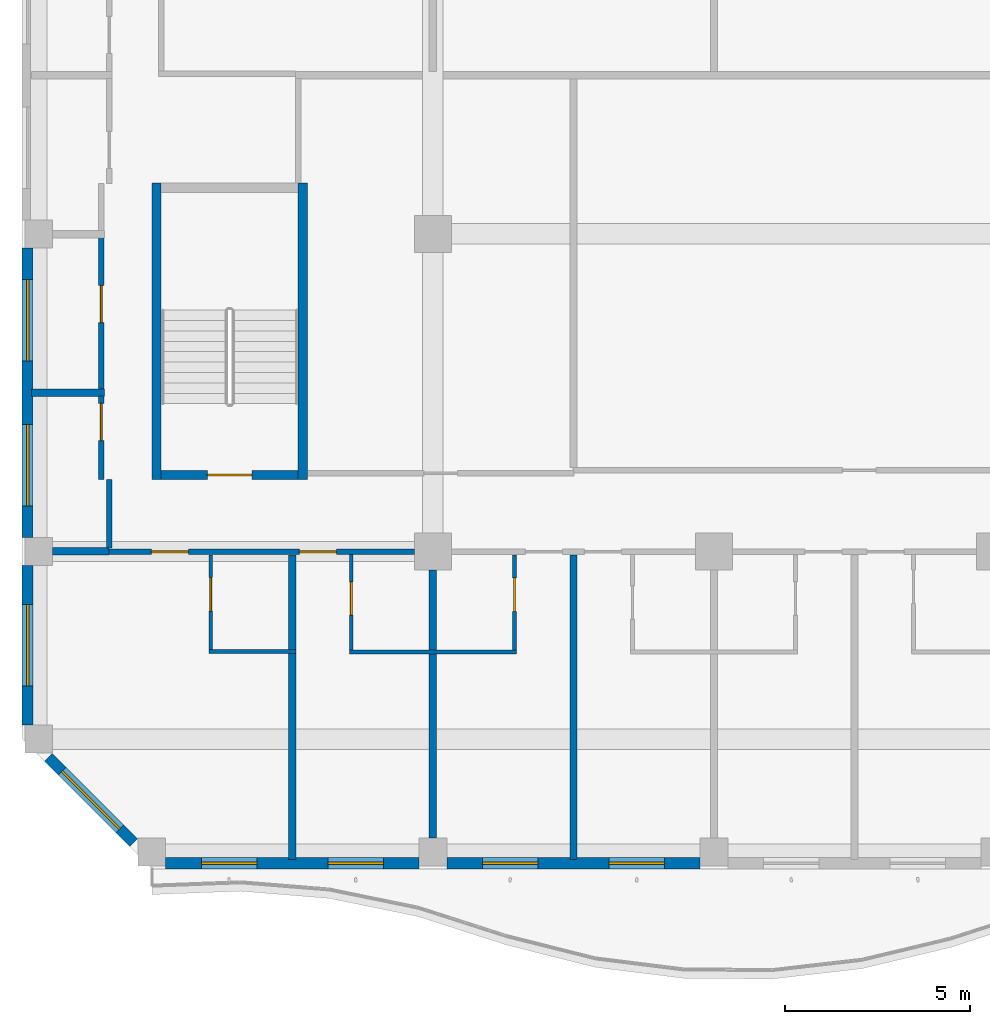
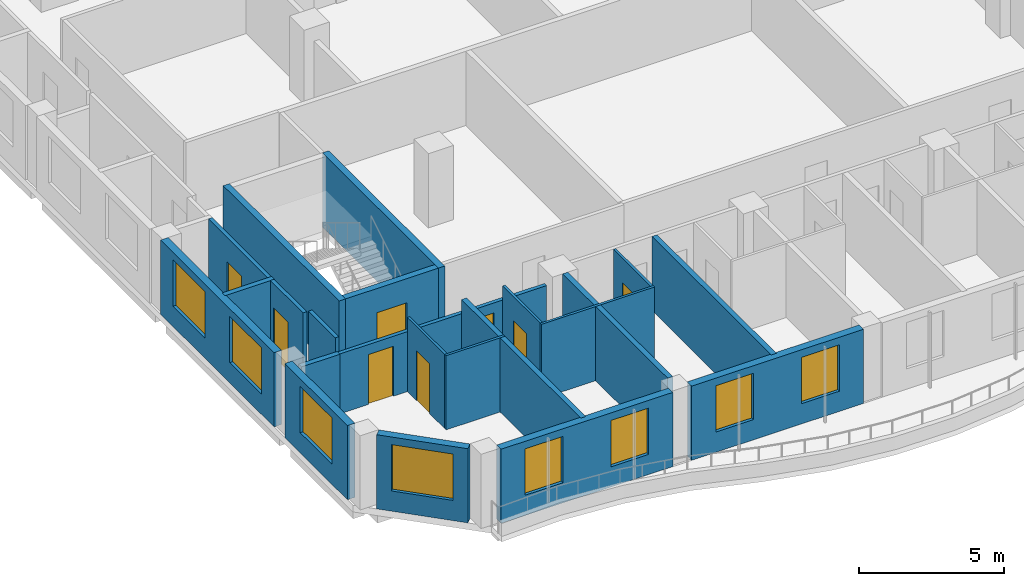
# One storey, part 2 of 22: 24 walls, 8 doors, 8 windows, 16 openings.
"""IFC4 building model written with IfcOpenShell, lengths in metres."""

from ifc_helpers import new_model, si_unit, direction, frame, frame_2d, origin, place, context, subcontext, project, spatial, rectangle, extrude, source, transform, mapped, material, layer, layer_set, type_object, element, fill, save


model = new_model("IFC4")

# Units and contexts
model_context = context("Model", 3, precision=1e-05, world=origin(), true_north=direction((0.0, 1.0)))
body_context = subcontext(model_context, "Body", "Model", "MODEL_VIEW")
ifc_project = project(units=[si_unit("LENGTHUNIT", "METRE"), si_unit("AREAUNIT", "SQUARE_METRE"), si_unit("VOLUMEUNIT", "CUBIC_METRE"), si_unit("PLANEANGLEUNIT", "RADIAN"), si_unit("MASSUNIT", "GRAM", prefix="KILO")], contexts=[model_context])

# Site, building, storey
site_placement = place(None, origin())
site = spatial("IfcSite", under=ifc_project, at=site_placement, CompositionType="ELEMENT")
building_placement = place(site_placement, origin())
building = spatial("IfcBuilding", under=site, at=building_placement, Name="Kilnfold Tower and Market Hall", CompositionType="ELEMENT")
storey_placement = place(building_placement, frame((0.0, 0.0, 206.699951171875)))
storey = spatial("IfcBuildingStorey", under=building, at=storey_placement, Name="L50", CompositionType="ELEMENT", Elevation=206.699951171875)

# Wall, openings, doors
ifc_material_1 = material(Name="Gypsum board on steel studs", Category="steel")
ifc_layer_1 = layer(ifc_material_1, 0.14990234375)
ifc_layer_set_1 = layer_set([ifc_layer_1], Name="Gypsum board on steel studs")
wall_type_1 = type_object("IfcWallType", Name="WALL CORRIDOR 150", PredefinedType="PARTITIONING", material=ifc_layer_set_1)
wall_1_placement = place(storey_placement, frame((-18.89990234375, -17.699951171875, 0.0), z_axis=(0.0, 0.0, 1.0), x_axis=(1.0, 0.0, 0.0)))
wall_1 = element("IfcWall", 1, at=wall_1_placement, inside=storey, type_object=wall_type_1, Name="Partition LY30.1", PredefinedType="PARTITIONING", context=body_context, shape_type="SweptSolid", body=[
    extrude(rectangle(XDim=8.23291015625, YDim=0.14990234375, at=frame_2d((4.116455078125, 0.0))), origin(), (0.0, 0.0, 1.0), 2.52001953125),
])
opening_1_placement = place(wall_1_placement, frame((1.135009765625, 0.0, 0.0)))
opening_1 = element("IfcOpeningElement", 2, at=opening_1_placement, cuts=wall_1, Name="Opening D1", PredefinedType="OPENING", context=body_context, shape_type="SweptSolid", body=[
    extrude(rectangle(XDim=1.0, YDim=2.10009765625, at=frame_2d((0.5, 1.050048828125))), frame((0.0, 0.0849609375, 0.0), z_axis=(0.0, -1.0, 0.0), x_axis=(1.0, 0.0, 0.0)), (0.0, 0.0, 1.0), 0.169921875),
])
opening_2_placement = place(wall_1_placement, frame((5.131103515625, 0.0, 0.0)))
opening_2 = element("IfcOpeningElement", 3, at=opening_2_placement, cuts=wall_1, Name="Opening D1", PredefinedType="OPENING", context=body_context, shape_type="SweptSolid", body=[
    extrude(rectangle(XDim=1.0, YDim=2.10009765625, at=frame_2d((0.5, 1.050048828125))), frame((0.0, 0.0849609375, 0.0), z_axis=(0.0, -1.0, 0.0), x_axis=(1.0, 0.0, 0.0)), (0.0, 0.0, 1.0), 0.169921875),
])
ifc_material_2 = material(Name="Timber veneer door leaf in steel frame", Category="steel")
door_type_1 = type_object("IfcDoorType", Name="DOOR ENTRY 1000 X2100", OperationType="NOTDEFINED", PredefinedType="DOOR", material=ifc_material_2)
door_1_placement = place(opening_1_placement, origin())
door_1 = element("IfcDoor", 4, at=door_1_placement, inside=storey, type_object=door_type_1, Name="Door D1", OperationType="SINGLE_SWING_RIGHT", OverallHeight=2.10009765625, OverallWidth=1.0, PredefinedType="DOOR", context=body_context, shape_type="SweptSolid", body=[
    extrude(rectangle(XDim=1.0, YDim=2.10009765625, at=frame_2d((0.5, 1.050048828125))), frame((0.0, 0.02490234375, 0.0), z_axis=(0.0, -1.0, 0.0), x_axis=(1.0, 0.0, 0.0)), (0.0, 0.0, 1.0), 0.050048828125),
])
fill(opening_1, door_1)
door_2_placement = place(opening_2_placement, origin())
door_2 = element("IfcDoor", 5, at=door_2_placement, inside=storey, type_object=door_type_1, Name="Door D1", OperationType="SINGLE_SWING_LEFT", OverallHeight=2.10009765625, OverallWidth=1.0, PredefinedType="DOOR", context=body_context, shape_type="SweptSolid", body=[
    extrude(rectangle(XDim=1.0, YDim=2.10009765625, at=frame_2d((0.5, 1.050048828125))), frame((0.0, 0.02490234375, 0.0), z_axis=(0.0, -1.0, 0.0), x_axis=(1.0, 0.0, 0.0)), (0.0, 0.0, 1.0), 0.050048828125),
])
fill(opening_2, door_2)

# Wall
wall_2_placement = place(storey_placement, frame((-18.89990234375, -17.597900390625, 0.0), z_axis=(0.0, 0.0, 1.0), x_axis=(0.0, 1.0, 0.0)))
element("IfcWall", 6, at=wall_2_placement, inside=storey, type_object=wall_type_1, Name="Partition LY30.9", PredefinedType="PARTITIONING", context=body_context, shape_type="SweptSolid", body=[
    extrude(rectangle(XDim=1.85498046875, YDim=0.14990234375, at=frame_2d((0.927490234375, 0.0))), origin(), (0.0, 0.0, 1.0), 3.1201171875),
])

# Wall, opening, door
wall_3_placement = place(storey_placement, frame((-19.113037109375, -15.742919921875, 0.0), z_axis=(0.0, 0.0, 1.0), x_axis=(0.0, 1.0, 0.0)))
wall_3 = element("IfcWall", 7, at=wall_3_placement, inside=storey, type_object=wall_type_1, Name="Partition LY30.10", PredefinedType="PARTITIONING", context=body_context, shape_type="SweptSolid", body=[
    extrude(rectangle(XDim=2.246826171875, YDim=0.14990234375, at=frame_2d((1.12353515625, 0.0))), origin(), (0.0, 0.0, 1.0), 3.1201171875),
])
opening_3_placement = place(wall_3_placement, frame((1.047119140625, 0.0, 0.0)))
opening_3 = element("IfcOpeningElement", 8, at=opening_3_placement, cuts=wall_3, Name="Opening D4", PredefinedType="OPENING", context=body_context, shape_type="SweptSolid", body=[
    extrude(rectangle(XDim=1.0, YDim=2.10009765625, at=frame_2d((0.5, 1.050048828125))), frame((0.0, 0.0849609375, 0.0), z_axis=(0.0, -1.0, 0.0), x_axis=(1.0, 0.0, 0.0)), (0.0, 0.0, 1.0), 0.169921875),
])
ifc_material_3 = material(Name="Timber veneer door leaf in steel frame", Category="steel")
door_type_2 = type_object("IfcDoorType", Name="DOOR SERVICE 1000 X2100", OperationType="NOTDEFINED", PredefinedType="DOOR", material=ifc_material_3)
door_3_placement = place(opening_3_placement, origin())
door_3 = element("IfcDoor", 9, at=door_3_placement, inside=storey, type_object=door_type_2, Name="Door D4", OperationType="SINGLE_SWING_LEFT", OverallHeight=2.10009765625, OverallWidth=1.0, PredefinedType="DOOR", context=body_context, shape_type="SweptSolid", body=[
    extrude(rectangle(XDim=1.0, YDim=2.10009765625, at=frame_2d((0.5, 1.050048828125))), frame((0.0, 0.02490234375, 0.0), z_axis=(0.0, -1.0, 0.0), x_axis=(1.0, 0.0, 0.0)), (0.0, 0.0, 1.0), 0.050048828125),
])
fill(opening_3, door_3)

wall_4_placement = place(storey_placement, frame((-19.113037109375, -13.31591796875, 0.0), z_axis=(0.0, 0.0, 1.0), x_axis=(0.0, 1.0, 0.0)))
wall_4 = element("IfcWall", 10, at=wall_4_placement, inside=storey, type_object=wall_type_1, Name="Partition LY30.11", PredefinedType="PARTITIONING", context=body_context, shape_type="SweptSolid", body=[
    extrude(rectangle(XDim=4.100830078125, YDim=0.14990234375, at=frame_2d((2.05029296875, 0.0))), origin(), (0.0, 0.0, 1.0), 3.1201171875),
])
opening_4_placement = place(wall_4_placement, frame((1.801025390625, 0.0, 0.0)))
opening_4 = element("IfcOpeningElement", 11, at=opening_4_placement, cuts=wall_4, Name="Opening D4", PredefinedType="OPENING", context=body_context, shape_type="SweptSolid", body=[
    extrude(rectangle(XDim=1.0, YDim=2.10009765625, at=frame_2d((0.5, 1.050048828125))), frame((0.0, 0.0849609375, 0.0), z_axis=(0.0, -1.0, 0.0), x_axis=(1.0, 0.0, 0.0)), (0.0, 0.0, 1.0), 0.169921875),
])
door_4_placement = place(opening_4_placement, origin())
door_4 = element("IfcDoor", 12, at=door_4_placement, inside=storey, type_object=door_type_2, Name="Door D4", OperationType="SINGLE_SWING_RIGHT", OverallHeight=2.10009765625, OverallWidth=1.0, PredefinedType="DOOR", context=body_context, shape_type="SweptSolid", body=[
    extrude(rectangle(XDim=1.0, YDim=2.10009765625, at=frame_2d((0.5, 1.050048828125))), frame((0.0, 0.02490234375, 0.0), z_axis=(0.0, -1.0, 0.0), x_axis=(1.0, 0.0, 0.0)), (0.0, 0.0, 1.0), 0.050048828125),
])
fill(opening_4, door_4)

ifc_material_4 = material(Name="Gypsum board on steel studs", Category="steel")
ifc_layer_2 = layer(ifc_material_4, 0.10009765625)
ifc_layer_set_2 = layer_set([ifc_layer_2], Name="Gypsum board on steel studs")
wall_type_2 = type_object("IfcWallType", Name="WALL PARTITION 100", PredefinedType="PARTITIONING", material=ifc_layer_set_2)
wall_5_placement = place(storey_placement, frame((-16.158935546875, -20.337890625, 0.0), z_axis=(0.0, 0.0, 1.0), x_axis=(0.0, 1.0, 0.0)))
wall_5 = element("IfcWall", 13, at=wall_5_placement, inside=storey, type_object=wall_type_2, Name="Partition LY30.42", PredefinedType="PARTITIONING", context=body_context, shape_type="SweptSolid", body=[
    extrude(rectangle(XDim=2.560791015625, YDim=0.10009765625, at=frame_2d((1.2802734375, 0.0))), origin(), (0.0, 0.0, 1.0), 3.1201171875),
])
opening_5_placement = place(wall_5_placement, frame((1.041015625, 0.0, 0.0)))
opening_5 = element("IfcOpeningElement", 14, at=opening_5_placement, cuts=wall_5, Name="Opening D3", PredefinedType="OPENING", context=body_context, shape_type="SweptSolid", body=[
    extrude(rectangle(XDim=0.89990234375, YDim=2.10009765625, at=frame_2d((0.449951171875, 1.050048828125))), frame((0.0, 0.06005859375, 0.0), z_axis=(0.0, -1.0, 0.0), x_axis=(1.0, 0.0, 0.0)), (0.0, 0.0, 1.0), 0.1201171875),
])
ifc_material_5 = material(Name="Timber veneer door leaf in steel frame", Category="steel")
door_type_3 = type_object("IfcDoorType", Name="DOOR WC 900 X2100", OperationType="NOTDEFINED", PredefinedType="DOOR", material=ifc_material_5)
door_5_placement = place(opening_5_placement, origin())
door_5 = element("IfcDoor", 15, at=door_5_placement, inside=storey, type_object=door_type_3, Name="Door D3", OperationType="SINGLE_SWING_LEFT", OverallHeight=2.10009765625, OverallWidth=0.89990234375, PredefinedType="DOOR", context=body_context, shape_type="SweptSolid", body=[
    extrude(rectangle(XDim=0.89990234375, YDim=2.10009765625, at=frame_2d((0.449951171875, 1.050048828125))), frame((0.0, 0.02490234375, 0.0), z_axis=(0.0, -1.0, 0.0), x_axis=(1.0, 0.0, 0.0)), (0.0, 0.0, 1.0), 0.050048828125),
])
fill(opening_5, door_5)

# Wall
wall_6_placement = place(storey_placement, frame((-16.208984375, -20.387939453125, 0.0), z_axis=(0.0, 0.0, 1.0), x_axis=(1.0, 0.0, 0.0)))
element("IfcWall", 16, at=wall_6_placement, inside=storey, type_object=wall_type_2, Name="Partition LY30.43", PredefinedType="PARTITIONING", context=body_context, shape_type="SweptSolid", body=[
    extrude(rectangle(XDim=2.35009765625, YDim=0.10009765625, at=frame_2d((1.175048828125, 0.0))), origin(), (0.0, 0.0, 1.0), 3.1201171875),
])

# Wall, opening, door
wall_7_placement = place(storey_placement, frame((-12.366943359375, -20.35205078125, 0.0), z_axis=(0.0, 0.0, 1.0), x_axis=(0.0, 1.0, 0.0)))
wall_7 = element("IfcWall", 17, at=wall_7_placement, inside=storey, type_object=wall_type_2, Name="Partition LY30.47", PredefinedType="PARTITIONING", context=body_context, shape_type="SweptSolid", body=[
    extrude(rectangle(XDim=2.574951171875, YDim=0.10009765625, at=frame_2d((1.28759765625, 0.0))), origin(), (0.0, 0.0, 1.0), 3.1201171875),
])
opening_6_placement = place(wall_7_placement, frame((0.944091796875, 0.0, 0.0)))
opening_6 = element("IfcOpeningElement", 18, at=opening_6_placement, cuts=wall_7, Name="Opening D3", PredefinedType="OPENING", context=body_context, shape_type="SweptSolid", body=[
    extrude(rectangle(XDim=0.89990234375, YDim=2.10009765625, at=frame_2d((0.449951171875, 1.050048828125))), frame((0.0, 0.06005859375, 0.0), z_axis=(0.0, -1.0, 0.0), x_axis=(1.0, 0.0, 0.0)), (0.0, 0.0, 1.0), 0.1201171875),
])
door_6_placement = place(opening_6_placement, origin())
door_6 = element("IfcDoor", 19, at=door_6_placement, inside=storey, type_object=door_type_3, Name="Door D3", OperationType="SINGLE_SWING_RIGHT", OverallHeight=2.10009765625, OverallWidth=0.89990234375, PredefinedType="DOOR", context=body_context, shape_type="SweptSolid", body=[
    extrude(rectangle(XDim=0.89990234375, YDim=2.10009765625, at=frame_2d((0.449951171875, 1.050048828125))), frame((0.0, 0.02490234375, 0.0), z_axis=(0.0, -1.0, 0.0), x_axis=(1.0, 0.0, 0.0)), (0.0, 0.0, 1.0), 0.050048828125),
])
fill(opening_6, door_6)

# Wall
wall_8_placement = place(storey_placement, frame((-12.4169921875, -20.402099609375, 0.0), z_axis=(0.0, 0.0, 1.0), x_axis=(1.0, 0.0, 0.0)))
element("IfcWall", 20, at=wall_8_placement, inside=storey, type_object=wall_type_2, Name="Partition LY30.48", PredefinedType="PARTITIONING", context=body_context, shape_type="SweptSolid", body=[
    extrude(rectangle(XDim=4.5, YDim=0.10009765625, at=frame_2d((2.25, 0.0))), origin(), (0.0, 0.0, 1.0), 3.1201171875),
])

# Wall, opening, door
wall_9_placement = place(storey_placement, frame((-7.967041015625, -17.777099609375, 0.0), z_axis=(0.0, 0.0, 1.0), x_axis=(0.0, -1.0, 0.0)))
wall_9 = element("IfcWall", 21, at=wall_9_placement, inside=storey, type_object=wall_type_2, Name="Partition LY30.51", PredefinedType="PARTITIONING", context=body_context, shape_type="SweptSolid", body=[
    extrude(rectangle(XDim=2.574951171875, YDim=0.10009765625, at=frame_2d((1.28759765625, 0.0))), origin(), (0.0, 0.0, 1.0), 3.1201171875),
])
opening_7_placement = place(wall_9_placement, frame((0.625, 0.0, 0.0)))
opening_7 = element("IfcOpeningElement", 22, at=opening_7_placement, cuts=wall_9, Name="Opening D3", PredefinedType="OPENING", context=body_context, shape_type="SweptSolid", body=[
    extrude(rectangle(XDim=0.89990234375, YDim=2.10009765625, at=frame_2d((0.449951171875, 1.050048828125))), frame((0.0, 0.06005859375, 0.0), z_axis=(0.0, -1.0, 0.0), x_axis=(1.0, 0.0, 0.0)), (0.0, 0.0, 1.0), 0.1201171875),
])
door_7_placement = place(opening_7_placement, origin())
door_7 = element("IfcDoor", 23, at=door_7_placement, inside=storey, type_object=door_type_3, Name="Door D3", OperationType="SINGLE_SWING_LEFT", OverallHeight=2.10009765625, OverallWidth=0.89990234375, PredefinedType="DOOR", context=body_context, shape_type="SweptSolid", body=[
    extrude(rectangle(XDim=0.89990234375, YDim=2.10009765625, at=frame_2d((0.449951171875, 1.050048828125))), frame((0.0, 0.02490234375, 0.0), z_axis=(0.0, -1.0, 0.0), x_axis=(1.0, 0.0, 0.0)), (0.0, 0.0, 1.0), 0.050048828125),
])
fill(opening_7, door_7)

# Walls
ifc_material_6 = material(Name="Gypsum board on steel studs", Category="steel")
ifc_layer_3 = layer(ifc_material_6, 0.199951171875)
ifc_layer_set_3 = layer_set([ifc_layer_3], Name="Gypsum board on steel studs")
wall_type_3 = type_object("IfcWallType", Name="WALL PARTY 200", PredefinedType="PARTITIONING", material=ifc_layer_set_3)
wall_10_placement = place(storey_placement, frame((-13.958984375, -26.0, 0.0), z_axis=(0.0, 0.0, 1.0), x_axis=(0.0, 1.0, 0.0)))
element("IfcWall", 24, at=wall_10_placement, inside=storey, type_object=wall_type_3, Name="Partition LY30.44", PredefinedType="PARTITIONING", context=body_context, shape_type="SweptSolid", body=[
    extrude(rectangle(XDim=5.56201171875, YDim=0.199951171875, at=frame_2d((2.781005859375, 0.0))), origin(), (0.0, 0.0, 1.0), 3.1201171875),
])
wall_11_placement = place(storey_placement, frame((-20.425048828125, -17.68798828125, 0.0), z_axis=(0.0, 0.0, 1.0), x_axis=(1.0, 0.0, 0.0)))
element("IfcWall", 25, at=wall_11_placement, inside=storey, type_object=wall_type_3, Name="Partition LY30.45", PredefinedType="PARTITIONING", context=body_context, shape_type="SweptSolid", body=[
    extrude(rectangle(XDim=1.52294921875, YDim=0.199951171875, at=frame_2d((0.761474609375, 0.0))), origin(), (0.0, 0.0, 1.0), 2.52001953125),
])
wall_12_placement = place(storey_placement, frame((-13.958984375, -20.337890625, 0.0), z_axis=(0.0, 0.0, 1.0), x_axis=(0.0, 1.0, 0.0)))
element("IfcWall", 26, at=wall_12_placement, inside=storey, type_object=wall_type_3, Name="Partition LY30.46", PredefinedType="PARTITIONING", context=body_context, shape_type="SweptSolid", body=[
    extrude(rectangle(XDim=2.560791015625, YDim=0.199951171875, at=frame_2d((1.2802734375, 0.0))), origin(), (0.0, 0.0, 1.0), 3.1201171875),
])
wall_13_placement = place(storey_placement, frame((-10.1669921875, -25.425048828125, 0.0), z_axis=(0.0, 0.0, 1.0), x_axis=(0.0, 1.0, 0.0)))
element("IfcWall", 27, at=wall_13_placement, inside=storey, type_object=wall_type_3, Name="Partition LY30.49", PredefinedType="PARTITIONING", context=body_context, shape_type="SweptSolid", body=[
    extrude(rectangle(XDim=4.97314453125, YDim=0.199951171875, at=frame_2d((2.486572265625, 0.0))), origin(), (0.0, 0.0, 1.0), 3.1201171875),
])
wall_14_placement = place(storey_placement, frame((-10.1669921875, -20.35205078125, 0.0), z_axis=(0.0, 0.0, 1.0), x_axis=(0.0, 1.0, 0.0)))
element("IfcWall", 28, at=wall_14_placement, inside=storey, type_object=wall_type_3, Name="Partition LY30.50", PredefinedType="PARTITIONING", context=body_context, shape_type="SweptSolid", body=[
    extrude(rectangle(XDim=2.1640625, YDim=0.199951171875, at=frame_2d((1.08203125, 0.0))), origin(), (0.0, 0.0, 1.0), 3.1201171875),
])
wall_15_placement = place(storey_placement, frame((-6.375, -26.0, 0.0), z_axis=(0.0, 0.0, 1.0), x_axis=(0.0, 1.0, 0.0)))
element("IfcWall", 29, at=wall_15_placement, inside=storey, type_object=wall_type_3, Name="Partition LY30.52", PredefinedType="PARTITIONING", context=body_context, shape_type="SweptSolid", body=[
    extrude(rectangle(XDim=8.222900390625, YDim=0.199951171875, at=frame_2d((4.111328125, 0.0))), origin(), (0.0, 0.0, 1.0), 3.1201171875),
])
wall_16_placement = place(storey_placement, frame((-19.027099609375, -13.406005859375, 0.0), z_axis=(0.0, 0.0, 1.0), x_axis=(-1.0, 0.0, 0.0)))
element("IfcWall", 30, at=wall_16_placement, inside=storey, type_object=wall_type_3, Name="Partition LY30.83", PredefinedType="PARTITIONING", context=body_context, shape_type="SweptSolid", body=[
    extrude(rectangle(XDim=1.972900390625, YDim=0.199951171875, at=frame_2d((0.986328125, 0.0))), origin(), (0.0, 0.0, 1.0), 3.1201171875),
])

# Wall, opening, door
ifc_material_7 = material(Name="Concrete C60", Category="concrete")
ifc_layer_4 = layer(ifc_material_7, 0.25)
ifc_layer_set_4 = layer_set([ifc_layer_4], Name="Concrete C60")
wall_type_4 = type_object("IfcWallType", Name="CORE WALL 250 C60", PredefinedType="SHEAR", material=ifc_layer_set_4)
shared_shape_1 = source(origin(), body_context, "Body", "SweptSolid", [
    extrude(rectangle(XDim=3.699951171875, YDim=0.25, at=frame_2d((1.85009765625, 0.0))), origin(), (0.0, 0.0, 1.0), 3.1201171875),
])
wall_17_placement = place(storey_placement, frame((-17.5, -15.625, 0.0), z_axis=(0.0, 0.0, 1.0), x_axis=(1.0, 0.0, 0.0)))
wall_17 = element("IfcWall", 31, at=wall_17_placement, inside=storey, type_object=wall_type_4, Name="Stair enclosure ST3", PredefinedType="SHEAR", context=body_context, shape_type="MappedRepresentation", body=[
    mapped(shared_shape_1, transform((0.0, 0.0, 0.0))),
])
opening_8_placement = place(wall_17_placement, frame((1.25, 0.0, 0.0)))
opening_8 = element("IfcOpeningElement", 32, at=opening_8_placement, cuts=wall_17, Name="Opening SD1", PredefinedType="OPENING", context=body_context, shape_type="SweptSolid", body=[
    extrude(rectangle(XDim=1.199951171875, YDim=2.10009765625, at=frame_2d((0.60009765625, 1.050048828125))), frame((0.0, 0.135009765625, 0.0), z_axis=(0.0, -1.0, 0.0), x_axis=(1.0, 0.0, 0.0)), (0.0, 0.0, 1.0), 0.27001953125),
])
ifc_material_8 = material(Name="Steel door set with fire-resisting leaf", Category="steel")
door_type_4 = type_object("IfcDoorType", Name="STAIR FLOOR DOOR 1200X2100", OperationType="NOTDEFINED", PredefinedType="DOOR", material=ifc_material_8)
door_8_placement = place(opening_8_placement, origin())
door_8 = element("IfcDoor", 33, at=door_8_placement, inside=storey, type_object=door_type_4, Name="Exit stair ST3 door", OperationType="DOUBLE_DOOR_SINGLE_SWING", OverallHeight=2.10009765625, OverallWidth=1.199951171875, PredefinedType="DOOR", context=body_context, shape_type="SweptSolid", body=[
    extrude(rectangle(XDim=1.199951171875, YDim=2.10009765625, at=frame_2d((0.60009765625, 1.050048828125))), frame((0.0, 0.02490234375, 0.0), z_axis=(0.0, -1.0, 0.0), x_axis=(1.0, 0.0, 0.0)), (0.0, 0.0, 1.0), 0.050048828125),
])
fill(opening_8, door_8)

# Walls
shared_shape_2 = source(origin(), body_context, "Body", "SweptSolid", [
    extrude(rectangle(XDim=8.0, YDim=0.25, at=frame_2d((4.0, 0.0))), origin(), (0.0, 0.0, 1.0), 3.1201171875),
])
for number, where, z_axis, x_axis, name in (
    (34, (-17.625, -15.75, 0.0), (0.0, 0.0, 1.0), (0.0, 1.0, 0.0), "Stair enclosure ST3"),
    (35, (-13.675048828125, -15.75, 0.0), (0.0, 0.0, 1.0), (0.0, 1.0, 0.0), "Stair enclosure ST3"),
):
    element("IfcWall", number, at=place(storey_placement, frame(where, z_axis=z_axis, x_axis=x_axis)), inside=storey, type_object=wall_type_4, Name=name, PredefinedType="SHEAR", context=body_context, shape_type="MappedRepresentation", body=[
        mapped(shared_shape_2, transform((0.0, 0.0, 0.0))),
    ])

# Wall, openings, windows
ifc_material_9 = material(Name="Precast concrete C50/60", Category="concrete")
ifc_layer_5 = layer(ifc_material_9, 0.300048828125)
ifc_layer_set_5 = layer_set([ifc_layer_5], Name="Precast concrete C50/60")
wall_type_5 = type_object("IfcWallType", Name="PRECAST WALL 300", PredefinedType="SOLIDWALL", material=ifc_layer_set_5)
shared_shape_3 = source(origin(), body_context, "Body", "SweptSolid", [
    extrude(rectangle(XDim=6.833251953125, YDim=0.300048828125, at=frame_2d((3.41650390625, 0.0))), origin(), (0.0, 0.0, 1.0), 3.1201171875),
])
wall_18_placement = place(storey_placement, frame((-17.375, -26.10009765625, 0.0), z_axis=(0.0, 0.0, 1.0), x_axis=(1.0, 0.0, 0.0)))
wall_18 = element("IfcWall", 36, at=wall_18_placement, inside=storey, type_object=wall_type_5, Name="External wall L50 S", PredefinedType="SOLIDWALL", context=body_context, shape_type="MappedRepresentation", body=[
    mapped(shared_shape_3, transform((0.0, 0.0, 0.0))),
])
opening_9_placement = place(wall_18_placement, frame((0.95849609375, 0.0, 0.85009765625)))
opening_9 = element("IfcOpeningElement", 37, at=opening_9_placement, cuts=wall_18, Name="Opening W4", PredefinedType="OPENING", context=body_context, shape_type="SweptSolid", body=[
    extrude(rectangle(XDim=1.5, YDim=1.949951171875, at=frame_2d((0.75, 0.97509765625))), frame((0.0, 0.16015625, 0.0), z_axis=(0.0, -1.0, 0.0), x_axis=(1.0, 0.0, 0.0)), (0.0, 0.0, 1.0), 0.320068359375),
])
opening_10_placement = place(wall_18_placement, frame((4.375, 0.0, 0.85009765625)))
opening_10 = element("IfcOpeningElement", 38, at=opening_10_placement, cuts=wall_18, Name="Opening W4", PredefinedType="OPENING", context=body_context, shape_type="SweptSolid", body=[
    extrude(rectangle(XDim=1.5, YDim=1.949951171875, at=frame_2d((0.75, 0.97509765625))), frame((0.0, 0.16015625, 0.0), z_axis=(0.0, -1.0, 0.0), x_axis=(1.0, 0.0, 0.0)), (0.0, 0.0, 1.0), 0.320068359375),
])
ifc_material_10 = material(Name="Aluminium frame and double glazing", Category="aluminium")
window_type_1 = type_object("IfcWindowType", Name="WINDOW W4 1500X1950", PartitioningType="SINGLE_PANEL", PredefinedType="WINDOW", material=ifc_material_10)
window_1_placement = place(opening_9_placement, origin())
window_1 = element("IfcWindow", 39, at=window_1_placement, inside=storey, type_object=window_type_1, Name="Window W4 L50 S-1", OverallHeight=1.949951171875, OverallWidth=1.5, PartitioningType="SINGLE_PANEL", PredefinedType="WINDOW", context=body_context, shape_type="SweptSolid", body=[
    extrude(rectangle(XDim=1.5, YDim=1.949951171875, at=frame_2d((0.75, 0.97509765625))), frame((0.0, 0.030029296875, 0.0), z_axis=(0.0, -1.0, 0.0), x_axis=(1.0, 0.0, 0.0)), (0.0, 0.0, 1.0), 0.06005859375),
])
fill(opening_9, window_1)
window_2_placement = place(opening_10_placement, origin())
window_2 = element("IfcWindow", 40, at=window_2_placement, inside=storey, type_object=window_type_1, Name="Window W4 L50 S-2", OverallHeight=1.949951171875, OverallWidth=1.5, PartitioningType="SINGLE_PANEL", PredefinedType="WINDOW", context=body_context, shape_type="SweptSolid", body=[
    extrude(rectangle(XDim=1.5, YDim=1.949951171875, at=frame_2d((0.75, 0.97509765625))), frame((0.0, 0.030029296875, 0.0), z_axis=(0.0, -1.0, 0.0), x_axis=(1.0, 0.0, 0.0)), (0.0, 0.0, 1.0), 0.06005859375),
])
fill(opening_10, window_2)

shared_shape_4 = source(origin(), body_context, "Body", "SweptSolid", [
    extrude(rectangle(XDim=6.83349609375, YDim=0.300048828125, at=frame_2d((3.416748046875, 0.0))), origin(), (0.0, 0.0, 1.0), 3.1201171875),
])
wall_19_placement = place(storey_placement, frame((-9.791748046875, -26.10009765625, 0.0), z_axis=(0.0, 0.0, 1.0), x_axis=(1.0, 0.0, 0.0)))
wall_19 = element("IfcWall", 41, at=wall_19_placement, inside=storey, type_object=wall_type_5, Name="External wall L50 S", PredefinedType="SOLIDWALL", context=body_context, shape_type="MappedRepresentation", body=[
    mapped(shared_shape_4, transform((0.0, 0.0, 0.0))),
])
opening_11_placement = place(wall_19_placement, frame((0.958251953125, 0.0, 0.85009765625)))
opening_11 = element("IfcOpeningElement", 42, at=opening_11_placement, cuts=wall_19, Name="Opening W4", PredefinedType="OPENING", context=body_context, shape_type="SweptSolid", body=[
    extrude(rectangle(XDim=1.5, YDim=1.949951171875, at=frame_2d((0.75, 0.97509765625))), frame((0.0, 0.16015625, 0.0), z_axis=(0.0, -1.0, 0.0), x_axis=(1.0, 0.0, 0.0)), (0.0, 0.0, 1.0), 0.320068359375),
])
opening_12_placement = place(wall_19_placement, frame((4.375, 0.0, 0.85009765625)))
opening_12 = element("IfcOpeningElement", 43, at=opening_12_placement, cuts=wall_19, Name="Opening W4", PredefinedType="OPENING", context=body_context, shape_type="SweptSolid", body=[
    extrude(rectangle(XDim=1.5, YDim=1.949951171875, at=frame_2d((0.75, 0.97509765625))), frame((0.0, 0.16015625, 0.0), z_axis=(0.0, -1.0, 0.0), x_axis=(1.0, 0.0, 0.0)), (0.0, 0.0, 1.0), 0.320068359375),
])
window_3_placement = place(opening_11_placement, origin())
window_3 = element("IfcWindow", 44, at=window_3_placement, inside=storey, type_object=window_type_1, Name="Window W4 L50 S-1", OverallHeight=1.949951171875, OverallWidth=1.5, PartitioningType="SINGLE_PANEL", PredefinedType="WINDOW", context=body_context, shape_type="SweptSolid", body=[
    extrude(rectangle(XDim=1.5, YDim=1.949951171875, at=frame_2d((0.75, 0.97509765625))), frame((0.0, 0.030029296875, 0.0), z_axis=(0.0, -1.0, 0.0), x_axis=(1.0, 0.0, 0.0)), (0.0, 0.0, 1.0), 0.06005859375),
])
fill(opening_11, window_3)
window_4_placement = place(opening_12_placement, origin())
window_4 = element("IfcWindow", 45, at=window_4_placement, inside=storey, type_object=window_type_1, Name="Window W4 L50 S-2", OverallHeight=1.949951171875, OverallWidth=1.5, PartitioningType="SINGLE_PANEL", PredefinedType="WINDOW", context=body_context, shape_type="SweptSolid", body=[
    extrude(rectangle(XDim=1.5, YDim=1.949951171875, at=frame_2d((0.75, 0.97509765625))), frame((0.0, 0.030029296875, 0.0), z_axis=(0.0, -1.0, 0.0), x_axis=(1.0, 0.0, 0.0)), (0.0, 0.0, 1.0), 0.06005859375),
])
fill(opening_12, window_4)

shared_shape_5 = source(origin(), body_context, "Body", "SweptSolid", [
    extrude(rectangle(XDim=7.8125, YDim=0.300048828125, at=frame_2d((3.90625, 0.0))), origin(), (0.0, 0.0, 1.0), 3.1201171875),
])
wall_20_placement = place(storey_placement, frame((-21.10009765625, -9.5, 0.0), z_axis=(0.0, 0.0, 1.0), x_axis=(0.0, -1.0, 0.0)))
wall_20 = element("IfcWall", 46, at=wall_20_placement, inside=storey, type_object=wall_type_5, Name="External wall L50 W", PredefinedType="SOLIDWALL", context=body_context, shape_type="MappedRepresentation", body=[
    mapped(shared_shape_5, transform((0.0, 0.0, 0.0))),
])
opening_13_placement = place(wall_20_placement, frame((0.85302734375, 0.0, 0.85009765625)))
opening_13 = element("IfcOpeningElement", 47, at=opening_13_placement, cuts=wall_20, Name="Opening W2", PredefinedType="OPENING", context=body_context, shape_type="SweptSolid", body=[
    extrude(rectangle(XDim=2.199951171875, YDim=1.949951171875, at=frame_2d((1.10009765625, 0.97509765625))), frame((0.0, 0.16015625, 0.0), z_axis=(0.0, -1.0, 0.0), x_axis=(1.0, 0.0, 0.0)), (0.0, 0.0, 1.0), 0.320068359375),
])
opening_14_placement = place(wall_20_placement, frame((4.75927734375, 0.0, 0.85009765625)))
opening_14 = element("IfcOpeningElement", 48, at=opening_14_placement, cuts=wall_20, Name="Opening W2", PredefinedType="OPENING", context=body_context, shape_type="SweptSolid", body=[
    extrude(rectangle(XDim=2.199951171875, YDim=1.949951171875, at=frame_2d((1.10009765625, 0.97509765625))), frame((0.0, 0.16015625, 0.0), z_axis=(0.0, -1.0, 0.0), x_axis=(1.0, 0.0, 0.0)), (0.0, 0.0, 1.0), 0.320068359375),
])
ifc_material_11 = material(Name="Aluminium frame and double glazing", Category="aluminium")
window_type_2 = type_object("IfcWindowType", Name="WINDOW W2 2200X1950", PartitioningType="SINGLE_PANEL", PredefinedType="WINDOW", material=ifc_material_11)
window_5_placement = place(opening_13_placement, origin())
window_5 = element("IfcWindow", 49, at=window_5_placement, inside=storey, type_object=window_type_2, Name="Window W2 L50 W-1", OverallHeight=1.949951171875, OverallWidth=2.199951171875, PartitioningType="SINGLE_PANEL", PredefinedType="WINDOW", context=body_context, shape_type="SweptSolid", body=[
    extrude(rectangle(XDim=2.199951171875, YDim=1.949951171875, at=frame_2d((1.10009765625, 0.97509765625))), frame((0.0, 0.030029296875, 0.0), z_axis=(0.0, -1.0, 0.0), x_axis=(1.0, 0.0, 0.0)), (0.0, 0.0, 1.0), 0.06005859375),
])
fill(opening_13, window_5)
window_6_placement = place(opening_14_placement, origin())
window_6 = element("IfcWindow", 50, at=window_6_placement, inside=storey, type_object=window_type_2, Name="Window W2 L50 W-2", OverallHeight=1.949951171875, OverallWidth=2.199951171875, PartitioningType="SINGLE_PANEL", PredefinedType="WINDOW", context=body_context, shape_type="SweptSolid", body=[
    extrude(rectangle(XDim=2.199951171875, YDim=1.949951171875, at=frame_2d((1.10009765625, 0.97509765625))), frame((0.0, 0.030029296875, 0.0), z_axis=(0.0, -1.0, 0.0), x_axis=(1.0, 0.0, 0.0)), (0.0, 0.0, 1.0), 0.06005859375),
])
fill(opening_14, window_6)

# Wall, opening, window
shared_shape_6 = source(origin(), body_context, "Body", "SweptSolid", [
    extrude(rectangle(XDim=4.3125, YDim=0.300048828125, at=frame_2d((2.15625, 0.0))), origin(), (0.0, 0.0, 1.0), 3.1201171875),
])
wall_21_placement = place(storey_placement, frame((-21.10009765625, -18.0625, 0.0), z_axis=(0.0, 0.0, 1.0), x_axis=(0.0, -1.0, 0.0)))
wall_21 = element("IfcWall", 51, at=wall_21_placement, inside=storey, type_object=wall_type_5, Name="External wall L50 W", PredefinedType="SOLIDWALL", context=body_context, shape_type="MappedRepresentation", body=[
    mapped(shared_shape_6, transform((0.0, 0.0, 0.0))),
])
opening_15_placement = place(wall_21_placement, frame((1.05615234375, 0.0, 0.85009765625)))
opening_15 = element("IfcOpeningElement", 52, at=opening_15_placement, cuts=wall_21, Name="Opening W2", PredefinedType="OPENING", context=body_context, shape_type="SweptSolid", body=[
    extrude(rectangle(XDim=2.199951171875, YDim=1.949951171875, at=frame_2d((1.10009765625, 0.97509765625))), frame((0.0, 0.16015625, 0.0), z_axis=(0.0, -1.0, 0.0), x_axis=(1.0, 0.0, 0.0)), (0.0, 0.0, 1.0), 0.320068359375),
])
window_7_placement = place(opening_15_placement, origin())
window_7 = element("IfcWindow", 53, at=window_7_placement, inside=storey, type_object=window_type_2, Name="Window W2 L50 W-1", OverallHeight=1.949951171875, OverallWidth=2.199951171875, PartitioningType="SINGLE_PANEL", PredefinedType="WINDOW", context=body_context, shape_type="SweptSolid", body=[
    extrude(rectangle(XDim=2.199951171875, YDim=1.949951171875, at=frame_2d((1.10009765625, 0.97509765625))), frame((0.0, 0.030029296875, 0.0), z_axis=(0.0, -1.0, 0.0), x_axis=(1.0, 0.0, 0.0)), (0.0, 0.0, 1.0), 0.06005859375),
])
fill(opening_15, window_7)

shared_shape_7 = source(origin(), body_context, "Body", "SweptSolid", [
    extrude(rectangle(XDim=3.252685546875, YDim=0.300048828125, at=frame_2d((1.62646484375, 0.0))), origin(), (0.0, 0.0, 1.0), 3.1201171875),
])
wall_22_placement = place(storey_placement, frame((-20.5439453125, -23.243896484375, 0.0), z_axis=(0.0, 0.0, 1.0), x_axis=(0.707106781187, -0.707106781187, 0.0)))
wall_22 = element("IfcWall", 54, at=wall_22_placement, inside=storey, type_object=wall_type_5, Name="External wall L50 SW", PredefinedType="SOLIDWALL", context=body_context, shape_type="MappedRepresentation", body=[
    mapped(shared_shape_7, transform((0.0, 0.0, 0.0))),
])
opening_16_placement = place(wall_22_placement, frame((0.5263671875, 0.0, 0.85009765625)))
opening_16 = element("IfcOpeningElement", 55, at=opening_16_placement, cuts=wall_22, Name="Opening W2", PredefinedType="OPENING", context=body_context, shape_type="SweptSolid", body=[
    extrude(rectangle(XDim=2.199951171875, YDim=1.949951171875, at=frame_2d((1.10009765625, 0.97509765625))), frame((0.0, 0.16015625, 0.0), z_axis=(0.0, -1.0, 0.0), x_axis=(1.0, 0.0, 0.0)), (0.0, 0.0, 1.0), 0.320068359375),
])
window_8_placement = place(opening_16_placement, origin())
window_8 = element("IfcWindow", 56, at=window_8_placement, inside=storey, type_object=window_type_2, Name="Window W2 L50 SW-1", OverallHeight=1.949951171875, OverallWidth=2.199951171875, PartitioningType="SINGLE_PANEL", PredefinedType="WINDOW", context=body_context, shape_type="SweptSolid", body=[
    extrude(rectangle(XDim=2.199951171875, YDim=1.949951171875, at=frame_2d((1.10009765625, 0.97509765625))), frame((0.0, 0.030029296875, 0.0), z_axis=(0.0, -1.0, 0.0), x_axis=(1.0, 0.0, 0.0)), (0.0, 0.0, 1.0), 0.06005859375),
])
fill(opening_16, window_8)

save(model, "model.ifc")
